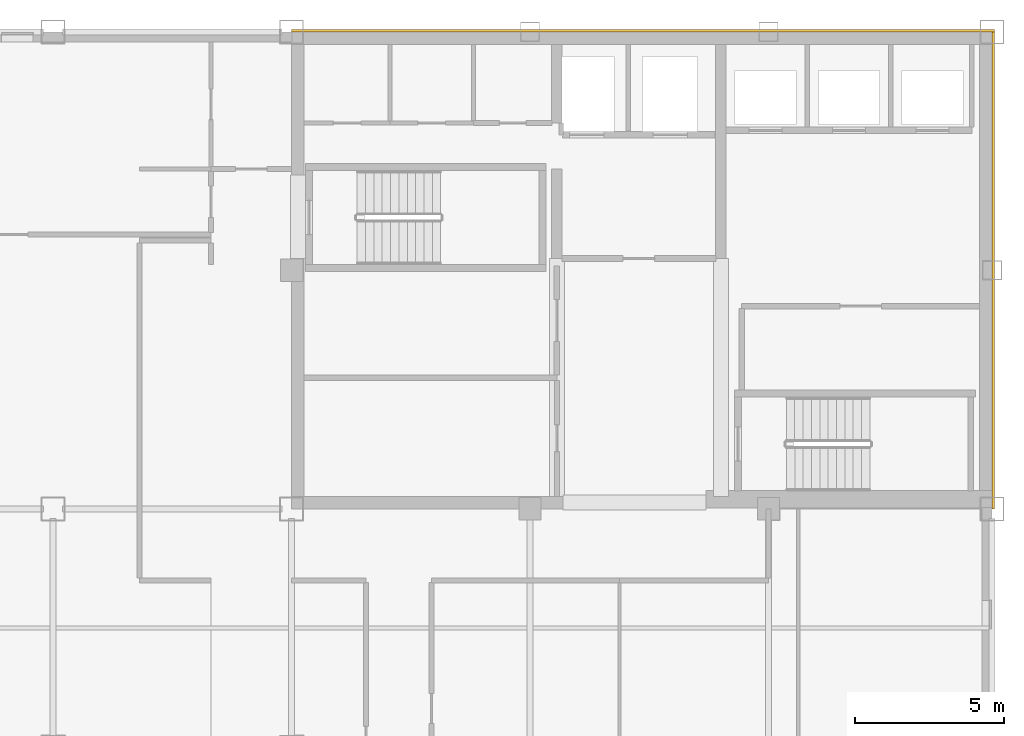
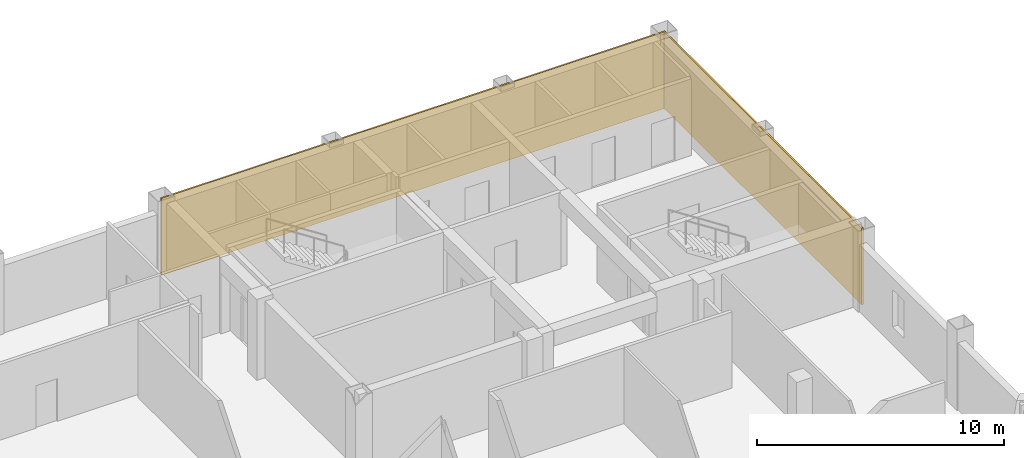
# One storey, part 7 of 7: 2 coverings.
"""IFC4 building model written with IfcOpenShell, lengths in metres."""

from ifc_helpers import new_model, si_unit, direction, frame, origin, origin_2d, place, context, subcontext, project, spatial, rectangle, extrude, material, layer, layer_set, type_object, element, save


model = new_model("IFC4")

# Units and contexts
model_context = context("Model", 3, precision=1e-05, world=origin(), true_north=direction((0.0, 1.0)))
body_context = subcontext(model_context, "Body", "Model", "MODEL_VIEW")
ifc_project = project(units=[si_unit("LENGTHUNIT", "METRE"), si_unit("AREAUNIT", "SQUARE_METRE"), si_unit("VOLUMEUNIT", "CUBIC_METRE"), si_unit("PLANEANGLEUNIT", "RADIAN"), si_unit("MASSUNIT", "GRAM", prefix="KILO")], contexts=[model_context])

# Site, building, storey
site_placement = place(None, origin())
site = spatial("IfcSite", under=ifc_project, at=site_placement, CompositionType="ELEMENT")
building_placement = place(site_placement, origin())
building = spatial("IfcBuilding", under=site, at=building_placement, Name="Qianrong Seaharbour Tower", CompositionType="ELEMENT")
storey_placement = place(building_placement, frame((0.0, 0.0, 335.199951171875)))
storey = spatial("IfcBuildingStorey", under=building, at=storey_placement, Name="L81", CompositionType="ELEMENT", Elevation=335.199951171875)

# Coverings
ifc_material = material(Name="Unitised red brick cladding on Precast concrete C45/55", Category="masonry")
ifc_layer = layer(ifc_material, 0.080078125)
ifc_layer_set = layer_set([ifc_layer], Name="Unitised red brick cladding on Precast concrete C45/55")
covering_type = type_object("IfcCoveringType", Name="COV-CLAD-RED-BRICK-80", PredefinedType="CLADDING", material=ifc_layer_set)
covering_1_placement = place(storey_placement, frame((52.2900390625, 52.0400390625, 0.0), z_axis=(0.0, 0.0, 1.0), x_axis=(1.0, 0.0, 0.0)))
element("IfcCovering", 1, at=covering_1_placement, inside=storey, type_object=covering_type, Name="L81 North Core Brick Veneer Cladding", PredefinedType="CLADDING", context=body_context, shape_type="SweptSolid", body=[
    extrude(rectangle(XDim=23.580078125, YDim=0.080078125, at=origin_2d()), origin(), (0.0, 0.0, 1.0), 3.784912109375),
])
covering_2_placement = place(storey_placement, frame((64.0400390625, 44.0, 0.0), z_axis=(0.0, 0.0, 1.0), x_axis=(1.0, 0.0, 0.0)))
element("IfcCovering", 2, at=covering_2_placement, inside=storey, type_object=covering_type, Name="L81 East Core Brick Veneer Cladding", PredefinedType="CLADDING", context=body_context, shape_type="SweptSolid", body=[
    extrude(rectangle(XDim=0.080078125, YDim=16.0, at=origin_2d()), origin(), (0.0, 0.0, 1.0), 3.784912109375),
])

save(model, "model.ifc")
